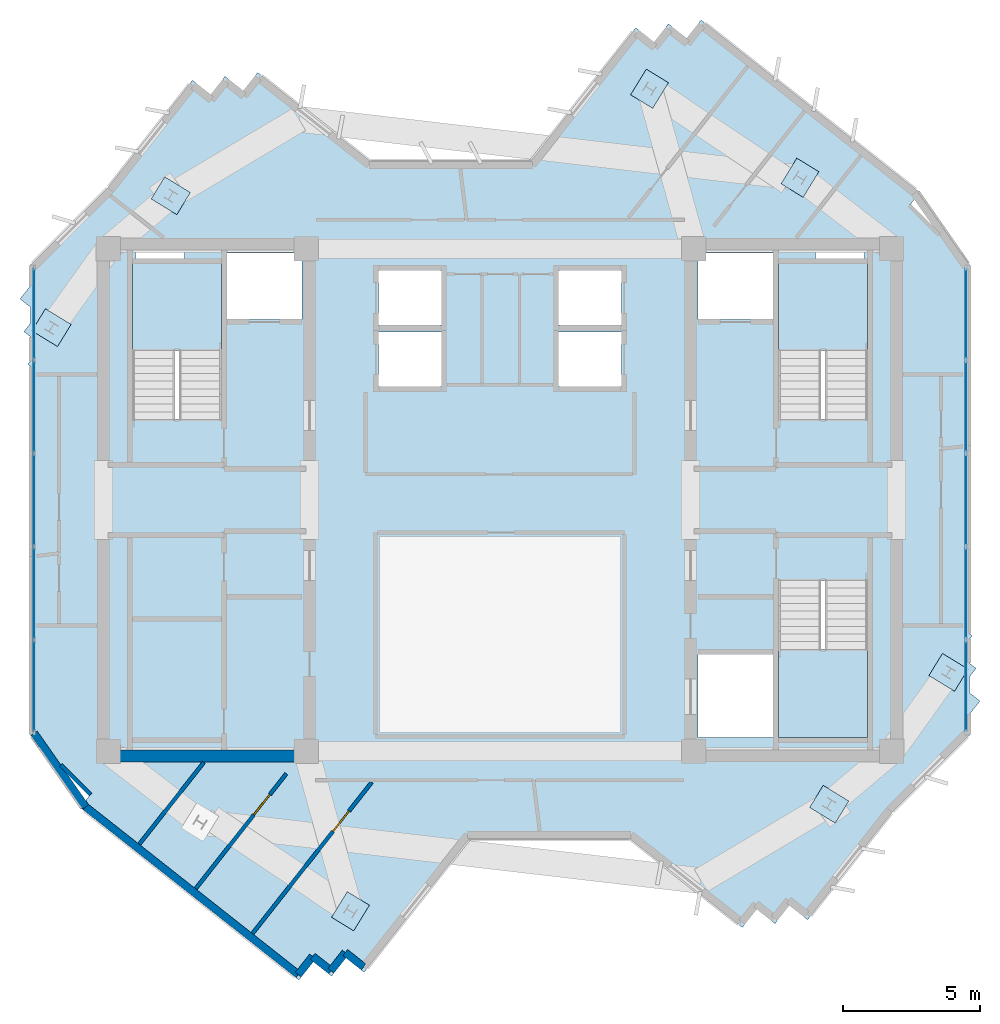
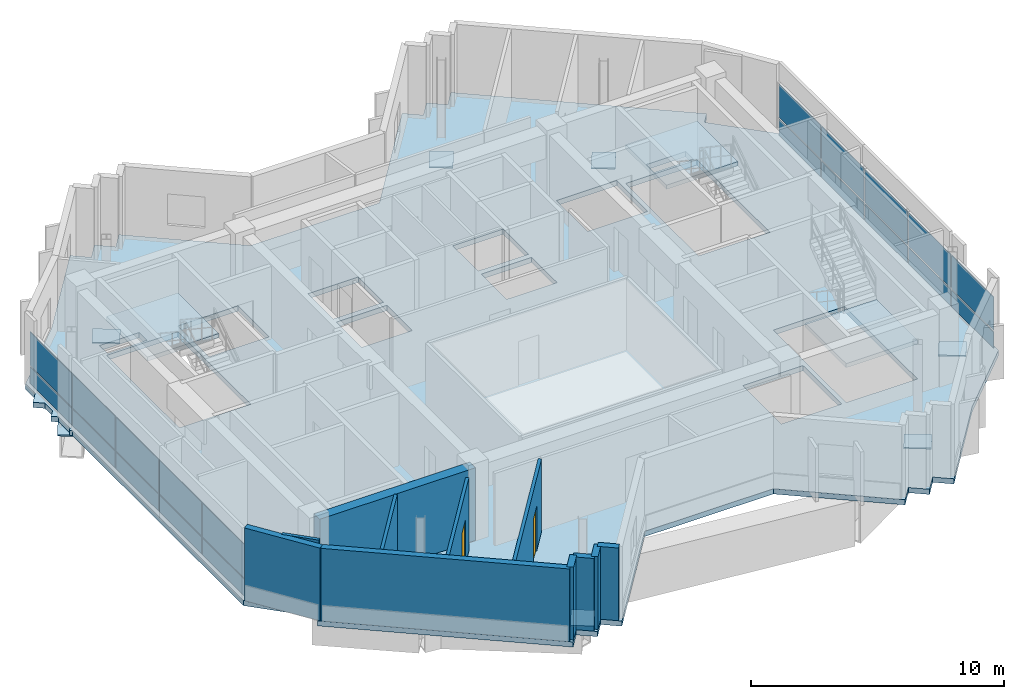
# One storey, part 4 of 10: 27 plates, 11 walls, 4 slabs, 2 doors, 2 openings, 5 elements without a shape of their own.
"""IFC4 building model written with IfcOpenShell, lengths in metres."""

from ifc_helpers import new_model, si_unit, direction, frame, frame_2d, origin, origin_2d, place, context, subcontext, project, spatial, polyline, rectangle, outline, extrude, source, transform, mapped, material, layer, layer_set, type_object, element, fill, aggregate, save


model = new_model("IFC4")

# Units and contexts
model_context = context("Model", 3, precision=1e-05, world=origin(), true_north=direction((0.0, 1.0)))
body_context = subcontext(model_context, "Body", "Model", "MODEL_VIEW")
ifc_project = project(units=[si_unit("LENGTHUNIT", "METRE"), si_unit("AREAUNIT", "SQUARE_METRE"), si_unit("VOLUMEUNIT", "CUBIC_METRE"), si_unit("PLANEANGLEUNIT", "RADIAN"), si_unit("MASSUNIT", "GRAM", prefix="KILO")], contexts=[model_context])

# Site, building, storey
site_placement = place(None, origin())
site = spatial("IfcSite", under=ifc_project, at=site_placement, CompositionType="ELEMENT")
building_placement = place(site_placement, origin())
building = spatial("IfcBuilding", under=site, at=building_placement, Name="Zahravan Cultural Tower", CompositionType="ELEMENT")
storey_placement = place(building_placement, frame((0.0, 0.0, 319.800048828125)))
storey = spatial("IfcBuildingStorey", under=building, at=storey_placement, Name="L77", CompositionType="ELEMENT", Elevation=319.800048828125)

# Stair, slab
ifc_material_1 = material(Name="Concrete C45/55", Category="concrete")
stair_type = type_object("IfcStairType", Name="STR-DL-1550-375", PredefinedType="HALF_TURN_STAIR", material=ifc_material_1)
stair_1_placement = place(storey_placement, origin())
stair_1 = element("IfcStair", 1, at=stair_1_placement, inside=storey, type_object=stair_type, Name="L77 West Core North Exit Stair ST-W1", PredefinedType="HALF_TURN_STAIR")
ifc_layer_1 = layer(ifc_material_1, 0.199951171875)
ifc_layer_set_1 = layer_set([ifc_layer_1], Name="Concrete C45/55")
slab_type_1 = type_object("IfcSlabType", Name="SL-STAIR-LND200", PredefinedType="LANDING", material=ifc_layer_set_1)
slab_1_placement = place(storey_placement, frame((0.0, 0.0, 1.675048828125)))
slab_1 = element("IfcSlab", 2, at=slab_1_placement, type_object=slab_type_1, Name="ST-W1 landing 1", PredefinedType="LANDING", context=body_context, shape_type="SweptSolid", body=[
    extrude(outline(polyline([(25.800048828125, 32.469970703125), (25.800048828125, 35.699951171875), (22.550048828125, 35.699951171875), (22.550048828125, 32.469970703125), (25.800048828125, 32.469970703125)])), origin(), (0.0, 0.0, 1.0), 0.199951171875),
])
aggregate(stair_1, [slab_1])

stair_2_placement = place(storey_placement, origin())
stair_2 = element("IfcStair", 3, at=stair_2_placement, inside=storey, type_object=stair_type, Name="L77 East Core North Exit Stair ST-E1", PredefinedType="HALF_TURN_STAIR")
slab_2_placement = place(storey_placement, frame((0.0, 0.0, 1.675048828125)))
slab_2 = element("IfcSlab", 4, at=slab_2_placement, type_object=slab_type_1, Name="ST-E1 landing 1", PredefinedType="LANDING", context=body_context, shape_type="SweptSolid", body=[
    extrude(outline(polyline([(49.449951171875, 32.469970703125), (49.449951171875, 35.699951171875), (46.199951171875, 35.699951171875), (46.199951171875, 32.469970703125), (49.449951171875, 32.469970703125)])), origin(), (0.0, 0.0, 1.0), 0.199951171875),
])
aggregate(stair_2, [slab_2])

stair_3_placement = place(storey_placement, origin())
stair_3 = element("IfcStair", 5, at=stair_3_placement, inside=storey, type_object=stair_type, Name="L77 East Core South Exit Stair ST-E2", PredefinedType="HALF_TURN_STAIR")
slab_3_placement = place(storey_placement, frame((0.0, 0.0, 1.675048828125)))
slab_3 = element("IfcSlab", 6, at=slab_3_placement, type_object=slab_type_1, Name="ST-E2 landing 1", PredefinedType="LANDING", context=body_context, shape_type="SweptSolid", body=[
    extrude(outline(polyline([(46.199951171875, 21.530029296875), (46.199951171875, 18.300048828125), (49.449951171875, 18.300048828125), (49.449951171875, 21.530029296875), (46.199951171875, 21.530029296875)])), origin(), (0.0, 0.0, 1.0), 0.199951171875),
])
aggregate(stair_3, [slab_3])

# Slab
ifc_material_2 = material(Name="Concrete C40/50", Category="concrete")
ifc_layer_2 = layer(ifc_material_2, 0.25)
ifc_layer_set_2 = layer_set([ifc_layer_2], Name="Concrete C40/50")
slab_type_2 = type_object("IfcSlabType", Name="SL-TYP-250", PredefinedType="FLOOR", material=ifc_layer_set_2)
slab_4_placement = place(storey_placement, frame((0.0, 0.0, -0.25)))
element("IfcSlab", 7, at=slab_4_placement, inside=storey, type_object=slab_type_2, Name="L77 Structural Floor Slab", PredefinedType="FLOOR", context=body_context, shape_type="SweptSolid", body=[
    extrude(outline(polyline([(37.116455078125, 39.39990234375), (31.25439453125, 39.39990234375), (27.12646484375, 42.654296875), (26.60009765625, 41.98681640625), (25.9326171875, 42.512939453125), (25.406494140625, 41.845458984375), (24.739013671875, 42.37158203125), (21.6376953125, 38.437744140625), (18.800048828125, 35.60009765625), (18.800048828125, 34.838134765625), (18.42431640625, 34.361328125), (18.800048828125, 34.065185546875), (18.800048828125, 33.465087890625), (18.5654296875, 33.167724609375), (18.800048828125, 32.98291015625), (18.800048828125, 32.09228515625), (18.706787109375, 31.97412109375), (18.800048828125, 31.900390625), (18.800048828125, 18.39990234375), (20.995361328125, 16.20458984375), (20.62841796875, 15.739013671875), (28.638671875, 9.42431640625), (29.164794921875, 10.091796875), (29.832275390625, 9.5654296875), (30.3583984375, 10.23291015625), (31.02587890625, 9.706787109375), (34.883544921875, 14.60009765625), (40.74560546875, 14.60009765625), (44.87353515625, 11.345703125), (45.39990234375, 12.01318359375), (46.0673828125, 11.487060546875), (46.593505859375, 12.154541015625), (47.260986328125, 11.62841796875), (50.3623046875, 15.562255859375), (53.199951171875, 18.39990234375), (53.199951171875, 19.161865234375), (53.57568359375, 19.638671875), (53.199951171875, 19.934814453125), (53.199951171875, 20.534912109375), (53.4345703125, 20.832275390625), (53.199951171875, 21.01708984375), (53.199951171875, 21.90771484375), (53.293212890625, 22.02587890625), (53.199951171875, 22.099609375), (53.199951171875, 35.60009765625), (51.004638671875, 37.79541015625), (51.37158203125, 38.260986328125), (43.361328125, 44.57568359375), (42.835205078125, 43.908203125), (42.167724609375, 44.4345703125), (41.6416015625, 43.76708984375), (40.97412109375, 44.293212890625), (37.116455078125, 39.39990234375)]), holes=[polyline([(22.550048828125, 29.949951171875), (22.550048828125, 35.699951171875), (25.800048828125, 35.699951171875), (25.800048828125, 29.949951171875), (22.550048828125, 29.949951171875)]), polyline([(46.199951171875, 29.949951171875), (46.199951171875, 35.699951171875), (49.449951171875, 35.699951171875), (49.449951171875, 29.949951171875), (46.199951171875, 29.949951171875)]), polyline([(46.199951171875, 18.300048828125), (46.199951171875, 24.050048828125), (49.449951171875, 24.050048828125), (49.449951171875, 18.300048828125), (46.199951171875, 18.300048828125)]), polyline([(26.0, 33.60009765625), (26.0, 36.050048828125), (28.75, 36.050048828125), (28.75, 33.60009765625), (26.0, 33.60009765625)]), polyline([(43.25, 33.60009765625), (43.25, 36.050048828125), (46.0, 36.050048828125), (46.0, 33.60009765625), (43.25, 33.60009765625)]), polyline([(43.25, 18.300048828125), (43.25, 21.35009765625), (46.0, 21.35009765625), (46.0, 18.300048828125), (43.25, 18.300048828125)]), polyline([(31.550048828125, 33.39990234375), (31.550048828125, 35.39990234375), (33.85009765625, 35.39990234375), (33.85009765625, 33.39990234375), (31.550048828125, 33.39990234375)]), polyline([(31.550048828125, 31.14990234375), (31.550048828125, 33.14990234375), (33.85009765625, 33.14990234375), (33.85009765625, 31.14990234375), (31.550048828125, 31.14990234375)]), polyline([(38.14990234375, 33.39990234375), (38.14990234375, 35.39990234375), (40.449951171875, 35.39990234375), (40.449951171875, 33.39990234375), (38.14990234375, 33.39990234375)]), polyline([(38.14990234375, 31.14990234375), (38.14990234375, 33.14990234375), (40.449951171875, 33.14990234375), (40.449951171875, 31.14990234375), (38.14990234375, 31.14990234375)]), polyline([(22.64990234375, 35.800048828125), (22.64990234375, 36.419921875), (24.449951171875, 36.419921875), (24.449951171875, 35.800048828125), (22.64990234375, 35.800048828125)]), polyline([(47.550048828125, 35.800048828125), (47.550048828125, 36.419921875), (49.35009765625, 36.419921875), (49.35009765625, 35.800048828125), (47.550048828125, 35.800048828125)])]), origin(), (0.0, 0.0, 1.0), 0.25),
])

# Plates
ifc_material_3 = material(Name="Steel ASTM A572 Grade 50", Category="steel")
ifc_layer_3 = layer(ifc_material_3, 0.06005859375)
ifc_layer_set_3 = layer_set([ifc_layer_3], Name="Steel ASTM A572 Grade 50")
plate_type_1 = type_object("IfcPlateType", Name="PL-NODE-60", PredefinedType="SHEET", material=ifc_layer_set_3)
shared_shape_1 = source(origin(), body_context, "Body", "SweptSolid", [
    extrude(rectangle(XDim=1.10009765625, YDim=0.949951171875, at=origin_2d()), origin(), (0.0, 0.0, 1.0), 0.06005859375),
])
for number, where, z_axis, x_axis, name in (
    (8, (30.525146484375, 11.941650390625, -1.080078125), (0.0, 0.0, 1.0), (0.522498564716, 0.852640164354, 0.0), "L77 Transfer Node Plate TN2"),
    (9, (48.055419921875, 15.859375, -1.080078125), (0.0, 0.0, 1.0), (-0.852640164354, 0.522498564716, 0.0), "L77 Transfer Node Plate TN2"),
    (10, (52.422607421875, 20.689208984375, -1.080078125), (0.0, 0.0, 1.0), (-0.852640164354, 0.522498564716, 0.0), "L77 Transfer Node Plate TN2"),
    (11, (46.98388671875, 38.7998046875, -1.080078125), (0.0, 0.0, 1.0), (0.522498564716, 0.852640164354, 0.0), "L77 Transfer Node Plate TN2"),
    (12, (41.474853515625, 42.058349609375, -1.080078125), (0.0, 0.0, 1.0), (0.522498564716, 0.852640164354, 0.0), "L77 Transfer Node Plate TN2"),
    (13, (23.944580078125, 38.140625, -1.080078125), (0.0, 0.0, 1.0), (-0.852640164354, 0.522498564716, 0.0), "L77 Transfer Node Plate TN2"),
    (14, (19.577392578125, 33.310791015625, -1.080078125), (0.0, 0.0, 1.0), (-0.852640164354, 0.522498564716, 0.0), "L77 Transfer Node Plate TN2"),
):
    element("IfcPlate", number, at=place(storey_placement, frame(where, z_axis=z_axis, x_axis=x_axis)), inside=storey, type_object=plate_type_1, Name=name, PredefinedType="SHEET", context=body_context, shape_type="MappedRepresentation", body=[
        mapped(shared_shape_1, transform((0.0, 0.0, 0.0), x_axis=(1.0, 0.0, 0.0), y_axis=(0.0, 1.0, 0.0), z_axis=(0.0, 0.0, 1.0), scale=1.0)),
    ])

# Curtain wall, plates
ifc_material_4 = material(Name="Anodised bronze-aluminium mullion", Category="aluminium")
ifc_layer_4 = layer(ifc_material_4, 0.199951171875)
ifc_layer_set_4 = layer_set([ifc_layer_4], Name="Anodised bronze-aluminium mullion")
curtain_wall_type_1 = type_object("IfcCurtainWallType", Name="CW-SYS-2", PredefinedType="USERDEFINED", material=ifc_layer_set_4)
curtain_wall_1_placement = place(storey_placement, origin())
curtain_wall_1 = element("IfcCurtainWall", 15, at=curtain_wall_1_placement, inside=storey, type_object=curtain_wall_type_1, Name="L77 Recessed Curtain Wall CW-2.1", ObjectType="RECESSED GLAZING", PredefinedType="USERDEFINED")
ifc_material_5 = material(Name="Low-E solar-control double glazing", Category="glass")
ifc_layer_5 = layer(ifc_material_5, 0.030029296875)
ifc_layer_set_5 = layer_set([ifc_layer_5], Name="Low-E solar-control double glazing")
plate_type_2 = type_object("IfcPlateType", Name="CWP-CW-2", PredefinedType="CURTAIN_PANEL", material=ifc_layer_set_5)
shared_shape_2 = source(origin(), body_context, "Body", "SweptSolid", [
    extrude(rectangle(XDim=3.30419921875, YDim=0.030029296875, at=origin_2d()), origin(), (0.0, 0.0, 1.0), 0.78759765625),
])
plate_1_placement = place(storey_placement, frame((53.06005859375, 33.81494140625, 0.074951171875), z_axis=(0.0, 0.0, 1.0), x_axis=(0.0, -1.0, 0.0)))
plate_1 = element("IfcPlate", 16, at=plate_1_placement, type_object=plate_type_2, Name="CW-2 panel 1.1", PredefinedType="CURTAIN_PANEL", context=body_context, shape_type="MappedRepresentation", body=[
    mapped(shared_shape_2, transform((0.0, 0.0, 0.0), x_axis=(1.0, 0.0, 0.0), y_axis=(0.0, 1.0, 0.0), z_axis=(0.0, 0.0, 1.0), scale=1.0)),
])
plate_2_placement = place(storey_placement, frame((53.06005859375, 20.18505859375, 0.074951171875), z_axis=(0.0, 0.0, 1.0), x_axis=(0.0, -1.0, 0.0)))
plate_2 = element("IfcPlate", 17, at=plate_2_placement, type_object=plate_type_2, Name="CW-2 panel 5.1", PredefinedType="CURTAIN_PANEL", context=body_context, shape_type="MappedRepresentation", body=[
    mapped(shared_shape_2, transform((0.0, 0.0, 0.0), x_axis=(1.0, 0.0, 0.0), y_axis=(0.0, 1.0, 0.0), z_axis=(0.0, 0.0, 1.0), scale=1.0)),
])
shared_shape_3 = source(origin(), body_context, "Body", "SweptSolid", [
    extrude(rectangle(XDim=3.30419921875, YDim=0.030029296875, at=origin_2d()), origin(), (0.0, 0.0, 1.0), 1.607421875),
])
plate_3_placement = place(storey_placement, frame((53.06005859375, 33.81494140625, 0.9375), z_axis=(0.0, 0.0, 1.0), x_axis=(0.0, -1.0, 0.0)))
plate_3 = element("IfcPlate", 18, at=plate_3_placement, type_object=plate_type_2, Name="CW-2 panel 1.2", PredefinedType="CURTAIN_PANEL", context=body_context, shape_type="MappedRepresentation", body=[
    mapped(shared_shape_3, transform((0.0, 0.0, 0.0), x_axis=(1.0, 0.0, 0.0), y_axis=(0.0, 1.0, 0.0), z_axis=(0.0, 0.0, 1.0), scale=1.0)),
])
plate_4_placement = place(storey_placement, frame((53.06005859375, 20.18505859375, 0.9375), z_axis=(0.0, 0.0, 1.0), x_axis=(0.0, -1.0, 0.0)))
plate_4 = element("IfcPlate", 19, at=plate_4_placement, type_object=plate_type_2, Name="CW-2 panel 5.2", PredefinedType="CURTAIN_PANEL", context=body_context, shape_type="MappedRepresentation", body=[
    mapped(shared_shape_3, transform((0.0, 0.0, 0.0), x_axis=(1.0, 0.0, 0.0), y_axis=(0.0, 1.0, 0.0), z_axis=(0.0, 0.0, 1.0), scale=1.0)),
])
shared_shape_4 = source(origin(), body_context, "Body", "SweptSolid", [
    extrude(rectangle(XDim=3.341796875, YDim=0.030029296875, at=origin_2d()), origin(), (0.0, 0.0, 1.0), 0.78759765625),
])
plate_5_placement = place(storey_placement, frame((53.06005859375, 30.416748046875, 0.074951171875), z_axis=(0.0, 0.0, 1.0), x_axis=(0.0, -1.0, 0.0)))
plate_5 = element("IfcPlate", 20, at=plate_5_placement, type_object=plate_type_2, Name="CW-2 panel 2.1", PredefinedType="CURTAIN_PANEL", context=body_context, shape_type="MappedRepresentation", body=[
    mapped(shared_shape_4, transform((0.0, 0.0, 0.0), x_axis=(1.0, 0.0, 0.0), y_axis=(0.0, 1.0, 0.0), z_axis=(0.0, 0.0, 1.0), scale=1.0)),
])
plate_6_placement = place(storey_placement, frame((53.06005859375, 27.0, 0.074951171875), z_axis=(0.0, 0.0, 1.0), x_axis=(0.0, -1.0, 0.0)))
plate_6 = element("IfcPlate", 21, at=plate_6_placement, type_object=plate_type_2, Name="CW-2 panel 3.1", PredefinedType="CURTAIN_PANEL", context=body_context, shape_type="MappedRepresentation", body=[
    mapped(shared_shape_4, transform((0.0, 0.0, 0.0), x_axis=(1.0, 0.0, 0.0), y_axis=(0.0, 1.0, 0.0), z_axis=(0.0, 0.0, 1.0), scale=1.0)),
])
plate_7_placement = place(storey_placement, frame((53.06005859375, 23.583251953125, 0.074951171875), z_axis=(0.0, 0.0, 1.0), x_axis=(0.0, -1.0, 0.0)))
plate_7 = element("IfcPlate", 22, at=plate_7_placement, type_object=plate_type_2, Name="CW-2 panel 4.1", PredefinedType="CURTAIN_PANEL", context=body_context, shape_type="MappedRepresentation", body=[
    mapped(shared_shape_4, transform((0.0, 0.0, 0.0), x_axis=(1.0, 0.0, 0.0), y_axis=(0.0, 1.0, 0.0), z_axis=(0.0, 0.0, 1.0), scale=1.0)),
])
shared_shape_5 = source(origin(), body_context, "Body", "SweptSolid", [
    extrude(rectangle(XDim=3.341796875, YDim=0.030029296875, at=origin_2d()), origin(), (0.0, 0.0, 1.0), 1.607421875),
])
plate_8_placement = place(storey_placement, frame((53.06005859375, 30.416748046875, 0.9375), z_axis=(0.0, 0.0, 1.0), x_axis=(0.0, -1.0, 0.0)))
plate_8 = element("IfcPlate", 23, at=plate_8_placement, type_object=plate_type_2, Name="CW-2 panel 2.2", PredefinedType="CURTAIN_PANEL", context=body_context, shape_type="MappedRepresentation", body=[
    mapped(shared_shape_5, transform((0.0, 0.0, 0.0), x_axis=(1.0, 0.0, 0.0), y_axis=(0.0, 1.0, 0.0), z_axis=(0.0, 0.0, 1.0), scale=1.0)),
])
plate_9_placement = place(storey_placement, frame((53.06005859375, 27.0, 0.9375), z_axis=(0.0, 0.0, 1.0), x_axis=(0.0, -1.0, 0.0)))
plate_9 = element("IfcPlate", 24, at=plate_9_placement, type_object=plate_type_2, Name="CW-2 panel 3.2", PredefinedType="CURTAIN_PANEL", context=body_context, shape_type="MappedRepresentation", body=[
    mapped(shared_shape_5, transform((0.0, 0.0, 0.0), x_axis=(1.0, 0.0, 0.0), y_axis=(0.0, 1.0, 0.0), z_axis=(0.0, 0.0, 1.0), scale=1.0)),
])
plate_10_placement = place(storey_placement, frame((53.06005859375, 23.583251953125, 0.9375), z_axis=(0.0, 0.0, 1.0), x_axis=(0.0, -1.0, 0.0)))
plate_10 = element("IfcPlate", 25, at=plate_10_placement, type_object=plate_type_2, Name="CW-2 panel 4.2", PredefinedType="CURTAIN_PANEL", context=body_context, shape_type="MappedRepresentation", body=[
    mapped(shared_shape_5, transform((0.0, 0.0, 0.0), x_axis=(1.0, 0.0, 0.0), y_axis=(0.0, 1.0, 0.0), z_axis=(0.0, 0.0, 1.0), scale=1.0)),
])
aggregate(curtain_wall_1, [plate_1, plate_3, plate_5, plate_8, plate_6, plate_9, plate_7, plate_10, plate_2, plate_4])

ifc_layer_6 = layer(ifc_material_4, 0.179931640625)
ifc_layer_set_6 = layer_set([ifc_layer_6], Name="Anodised bronze-aluminium mullion")
curtain_wall_type_2 = type_object("IfcCurtainWallType", Name="CW-SYS-3", PredefinedType="USERDEFINED", material=ifc_layer_set_6)
curtain_wall_2_placement = place(storey_placement, origin())
curtain_wall_2 = element("IfcCurtainWall", 26, at=curtain_wall_2_placement, inside=storey, type_object=curtain_wall_type_2, Name="L77 Recessed Curtain Wall CW-3.2", ObjectType="RECESSED GLAZING", PredefinedType="USERDEFINED")
ifc_layer_7 = layer(ifc_material_5, 0.028076171875)
ifc_layer_set_7 = layer_set([ifc_layer_7], Name="Low-E solar-control double glazing")
plate_type_3 = type_object("IfcPlateType", Name="CWP-CW-3", PredefinedType="CURTAIN_PANEL", material=ifc_layer_set_7)
shared_shape_6 = source(origin(), body_context, "Body", "SweptSolid", [
    extrude(rectangle(XDim=3.311767578125, YDim=0.028076171875, at=origin_2d()), origin(), (0.0, 0.0, 1.0), 0.794921875),
])
plate_11_placement = place(storey_placement, frame((18.93994140625, 20.183837890625, 0.070068359375), z_axis=(0.0, 0.0, 1.0), x_axis=(0.0, 1.0, 0.0)))
plate_11 = element("IfcPlate", 27, at=plate_11_placement, type_object=plate_type_3, Name="CW-3 panel 1.1", PredefinedType="CURTAIN_PANEL", context=body_context, shape_type="MappedRepresentation", body=[
    mapped(shared_shape_6, transform((0.0, 0.0, 0.0), x_axis=(1.0, 0.0, 0.0), y_axis=(0.0, 1.0, 0.0), z_axis=(0.0, 0.0, 1.0), scale=1.0)),
])
plate_12_placement = place(storey_placement, frame((18.93994140625, 33.816162109375, 0.070068359375), z_axis=(0.0, 0.0, 1.0), x_axis=(0.0, 1.0, 0.0)))
plate_12 = element("IfcPlate", 28, at=plate_12_placement, type_object=plate_type_3, Name="CW-3 panel 5.1", PredefinedType="CURTAIN_PANEL", context=body_context, shape_type="MappedRepresentation", body=[
    mapped(shared_shape_6, transform((0.0, 0.0, 0.0), x_axis=(1.0, 0.0, 0.0), y_axis=(0.0, 1.0, 0.0), z_axis=(0.0, 0.0, 1.0), scale=1.0)),
])
shared_shape_7 = source(origin(), body_context, "Body", "SweptSolid", [
    extrude(rectangle(XDim=3.311767578125, YDim=0.028076171875, at=origin_2d()), origin(), (0.0, 0.0, 1.0), 1.614990234375),
])
plate_13_placement = place(storey_placement, frame((18.93994140625, 20.183837890625, 0.93505859375), z_axis=(0.0, 0.0, 1.0), x_axis=(0.0, 1.0, 0.0)))
plate_13 = element("IfcPlate", 29, at=plate_13_placement, type_object=plate_type_3, Name="CW-3 panel 1.2", PredefinedType="CURTAIN_PANEL", context=body_context, shape_type="MappedRepresentation", body=[
    mapped(shared_shape_7, transform((0.0, 0.0, 0.0), x_axis=(1.0, 0.0, 0.0), y_axis=(0.0, 1.0, 0.0), z_axis=(0.0, 0.0, 1.0), scale=1.0)),
])
plate_14_placement = place(storey_placement, frame((18.93994140625, 33.816162109375, 0.93505859375), z_axis=(0.0, 0.0, 1.0), x_axis=(0.0, 1.0, 0.0)))
plate_14 = element("IfcPlate", 30, at=plate_14_placement, type_object=plate_type_3, Name="CW-3 panel 5.2", PredefinedType="CURTAIN_PANEL", context=body_context, shape_type="MappedRepresentation", body=[
    mapped(shared_shape_7, transform((0.0, 0.0, 0.0), x_axis=(1.0, 0.0, 0.0), y_axis=(0.0, 1.0, 0.0), z_axis=(0.0, 0.0, 1.0), scale=1.0)),
])
shared_shape_8 = source(origin(), body_context, "Body", "SweptSolid", [
    extrude(rectangle(XDim=3.3466796875, YDim=0.028076171875, at=origin_2d()), origin(), (0.0, 0.0, 1.0), 0.794921875),
])
plate_15_placement = place(storey_placement, frame((18.93994140625, 23.583251953125, 0.070068359375), z_axis=(0.0, 0.0, 1.0), x_axis=(0.0, 1.0, 0.0)))
plate_15 = element("IfcPlate", 31, at=plate_15_placement, type_object=plate_type_3, Name="CW-3 panel 2.1", PredefinedType="CURTAIN_PANEL", context=body_context, shape_type="MappedRepresentation", body=[
    mapped(shared_shape_8, transform((0.0, 0.0, 0.0), x_axis=(1.0, 0.0, 0.0), y_axis=(0.0, 1.0, 0.0), z_axis=(0.0, 0.0, 1.0), scale=1.0)),
])
plate_16_placement = place(storey_placement, frame((18.93994140625, 27.0, 0.070068359375), z_axis=(0.0, 0.0, 1.0), x_axis=(0.0, 1.0, 0.0)))
plate_16 = element("IfcPlate", 32, at=plate_16_placement, type_object=plate_type_3, Name="CW-3 panel 3.1", PredefinedType="CURTAIN_PANEL", context=body_context, shape_type="MappedRepresentation", body=[
    mapped(shared_shape_8, transform((0.0, 0.0, 0.0), x_axis=(1.0, 0.0, 0.0), y_axis=(0.0, 1.0, 0.0), z_axis=(0.0, 0.0, 1.0), scale=1.0)),
])
plate_17_placement = place(storey_placement, frame((18.93994140625, 30.416748046875, 0.070068359375), z_axis=(0.0, 0.0, 1.0), x_axis=(0.0, 1.0, 0.0)))
plate_17 = element("IfcPlate", 33, at=plate_17_placement, type_object=plate_type_3, Name="CW-3 panel 4.1", PredefinedType="CURTAIN_PANEL", context=body_context, shape_type="MappedRepresentation", body=[
    mapped(shared_shape_8, transform((0.0, 0.0, 0.0), x_axis=(1.0, 0.0, 0.0), y_axis=(0.0, 1.0, 0.0), z_axis=(0.0, 0.0, 1.0), scale=1.0)),
])
shared_shape_9 = source(origin(), body_context, "Body", "SweptSolid", [
    extrude(rectangle(XDim=3.3466796875, YDim=0.028076171875, at=origin_2d()), origin(), (0.0, 0.0, 1.0), 1.614990234375),
])
plate_18_placement = place(storey_placement, frame((18.93994140625, 23.583251953125, 0.93505859375), z_axis=(0.0, 0.0, 1.0), x_axis=(0.0, 1.0, 0.0)))
plate_18 = element("IfcPlate", 34, at=plate_18_placement, type_object=plate_type_3, Name="CW-3 panel 2.2", PredefinedType="CURTAIN_PANEL", context=body_context, shape_type="MappedRepresentation", body=[
    mapped(shared_shape_9, transform((0.0, 0.0, 0.0), x_axis=(1.0, 0.0, 0.0), y_axis=(0.0, 1.0, 0.0), z_axis=(0.0, 0.0, 1.0), scale=1.0)),
])
plate_19_placement = place(storey_placement, frame((18.93994140625, 27.0, 0.93505859375), z_axis=(0.0, 0.0, 1.0), x_axis=(0.0, 1.0, 0.0)))
plate_19 = element("IfcPlate", 35, at=plate_19_placement, type_object=plate_type_3, Name="CW-3 panel 3.2", PredefinedType="CURTAIN_PANEL", context=body_context, shape_type="MappedRepresentation", body=[
    mapped(shared_shape_9, transform((0.0, 0.0, 0.0), x_axis=(1.0, 0.0, 0.0), y_axis=(0.0, 1.0, 0.0), z_axis=(0.0, 0.0, 1.0), scale=1.0)),
])
plate_20_placement = place(storey_placement, frame((18.93994140625, 30.416748046875, 0.93505859375), z_axis=(0.0, 0.0, 1.0), x_axis=(0.0, 1.0, 0.0)))
plate_20 = element("IfcPlate", 36, at=plate_20_placement, type_object=plate_type_3, Name="CW-3 panel 4.2", PredefinedType="CURTAIN_PANEL", context=body_context, shape_type="MappedRepresentation", body=[
    mapped(shared_shape_9, transform((0.0, 0.0, 0.0), x_axis=(1.0, 0.0, 0.0), y_axis=(0.0, 1.0, 0.0), z_axis=(0.0, 0.0, 1.0), scale=1.0)),
])
aggregate(curtain_wall_2, [plate_11, plate_13, plate_15, plate_18, plate_16, plate_19, plate_17, plate_20, plate_12, plate_14])

# Wall, opening, door
ifc_material_6 = material(Name="Gypsum plasterboard partition")
ifc_layer_8 = layer(ifc_material_6, 0.139892578125)
ifc_layer_set_8 = layer_set([ifc_layer_8], Name="Gypsum plasterboard partition")
wall_type_1 = type_object("IfcWallType", Name="W-PART-140", PredefinedType="PARTITIONING", material=ifc_layer_set_8)
wall_1_placement = place(storey_placement, frame((28.17724609375, 16.97998046875, 0.0), z_axis=(0.0, 0.0, 1.0), x_axis=(-0.619105408422, -0.785307897109, 0.0)))
wall_1 = element("IfcWall", 37, at=wall_1_placement, inside=storey, type_object=wall_type_1, Name="L77 Interior Wall 052", PredefinedType="PARTITIONING", context=body_context, shape_type="SweptSolid", body=[
    extrude(rectangle(XDim=5.363037109375, YDim=0.139892578125, at=frame_2d((2.681640625, 0.0))), origin(), (0.0, 0.0, 1.0), 3.5),
])
opening_1_placement = place(wall_1_placement, frame((0.970947265625, 0.0, 0.0)))
opening_1 = element("IfcOpeningElement", 38, at=opening_1_placement, cuts=wall_1, Name="Opening D-L77-27", PredefinedType="OPENING", context=body_context, shape_type="SweptSolid", body=[
    extrude(rectangle(XDim=0.949951171875, YDim=2.14990234375, at=frame_2d((0.47509765625, 1.074951171875))), frame((0.0, 0.079833984375, 0.0), z_axis=(0.0, -1.0, 0.0), x_axis=(1.0, 0.0, 0.0)), (0.0, 0.0, 1.0), 0.159912109375),
])
door_type = type_object("IfcDoorType", Name="DR-ROOM-950", OperationType="NOTDEFINED", PredefinedType="DOOR", material=ifc_material_4)
shared_shape_10 = source(origin(), body_context, "Body", "SweptSolid", [
    extrude(rectangle(XDim=0.949951171875, YDim=2.14990234375, at=frame_2d((0.47509765625, 1.074951171875))), frame((0.0, 0.02490234375, 0.0), z_axis=(0.0, -1.0, 0.0), x_axis=(1.0, 0.0, 0.0)), (0.0, 0.0, 1.0), 0.050048828125),
])
door_1_placement = place(opening_1_placement, origin())
door_1 = element("IfcDoor", 39, at=door_1_placement, inside=storey, type_object=door_type, Name="L77 Door D-L77-27", OperationType="SINGLE_SWING_LEFT", OverallHeight=2.14990234375, OverallWidth=0.949951171875, PredefinedType="DOOR", context=body_context, shape_type="MappedRepresentation", body=[
    mapped(shared_shape_10, transform((0.0, 0.0, 0.0), x_axis=(1.0, 0.0, 0.0), y_axis=(0.0, 1.0, 0.0), z_axis=(0.0, 0.0, 1.0), scale=1.0)),
])
fill(opening_1, door_1)

wall_2_placement = place(storey_placement, frame((31.30322265625, 16.664794921875, 0.0), z_axis=(0.0, 0.0, 1.0), x_axis=(-0.619105259882, -0.785308014213, 0.0)))
wall_2 = element("IfcWall", 40, at=wall_2_placement, inside=storey, type_object=wall_type_1, Name="L77 Interior Wall 056", PredefinedType="PARTITIONING", context=body_context, shape_type="SweptSolid", body=[
    extrude(rectangle(XDim=7.05078125, YDim=0.139892578125, at=frame_2d((3.525390625, 0.0))), origin(), (0.0, 0.0, 1.0), 3.5),
])
opening_2_placement = place(wall_2_placement, frame((1.34228515625, 0.0, 0.0)))
opening_2 = element("IfcOpeningElement", 41, at=opening_2_placement, cuts=wall_2, Name="Opening D-L77-25", PredefinedType="OPENING", context=body_context, shape_type="SweptSolid", body=[
    extrude(rectangle(XDim=0.949951171875, YDim=2.14990234375, at=frame_2d((0.47509765625, 1.074951171875))), frame((0.0, 0.079833984375, 0.0), z_axis=(0.0, -1.0, 0.0), x_axis=(1.0, 0.0, 0.0)), (0.0, 0.0, 1.0), 0.159912109375),
])
door_2_placement = place(opening_2_placement, origin())
door_2 = element("IfcDoor", 42, at=door_2_placement, inside=storey, type_object=door_type, Name="L77 Door D-L77-25", OperationType="SINGLE_SWING_LEFT", OverallHeight=2.14990234375, OverallWidth=0.949951171875, PredefinedType="DOOR", context=body_context, shape_type="MappedRepresentation", body=[
    mapped(shared_shape_10, transform((0.0, 0.0, 0.0), x_axis=(1.0, 0.0, 0.0), y_axis=(0.0, 1.0, 0.0), z_axis=(0.0, 0.0, 1.0), scale=1.0)),
])
fill(opening_2, door_2)

# Walls
ifc_material_7 = material(Name="Concrete C50/60", Category="concrete")
ifc_layer_9 = layer(ifc_material_7, 0.449951171875)
ifc_layer_set_9 = layer_set([ifc_layer_9], Name="Concrete C50/60")
wall_type_2 = type_object("IfcWallType", Name="CW-SHEAR-450-C50", PredefinedType="SHEAR", material=ifc_layer_set_9)
shared_shape_11 = source(origin(), body_context, "Body", "SweptSolid", [
    extrude(rectangle(XDim=7.10009765625, YDim=0.449951171875, at=frame_2d((3.550048828125, 0.0))), origin(), (0.0, 0.0, 1.0), 3.5),
])
wall_3_placement = place(storey_placement, frame((21.699951171875, 17.625, 0.0), z_axis=(0.0, 0.0, 1.0), x_axis=(1.0, 0.0, 0.0)))
element("IfcWall", 43, at=wall_3_placement, inside=storey, type_object=wall_type_2, Name="L77 Core Shear Wall CW-W-S-L77", PredefinedType="SHEAR", context=body_context, shape_type="MappedRepresentation", body=[
    mapped(shared_shape_11, transform((0.0, 0.0, 0.0), x_axis=(1.0, 0.0, 0.0), y_axis=(0.0, 1.0, 0.0), z_axis=(0.0, 0.0, 1.0), scale=1.0)),
])
ifc_material_8 = material(Name="Precast concrete C40/50", Category="concrete")
ifc_layer_10 = layer(ifc_material_8, 0.280029296875)
ifc_layer_set_10 = layer_set([ifc_layer_10], Name="Precast concrete C40/50")
wall_type_3 = type_object("IfcWallType", Name="EW-TC-280", PredefinedType="SOLIDWALL", material=ifc_layer_set_10)
shared_shape_12 = source(origin(), body_context, "Body", "SweptSolid", [
    extrude(rectangle(XDim=0.85009765625, YDim=0.280029296875, at=frame_2d((0.425048828125, 0.0))), origin(), (0.0, 0.0, 1.0), 3.5),
])
for number, where, z_axis, x_axis, name in (
    (44, (31.002685546875, 9.9033203125, 0.0), (0.0, 0.0, 1.0), (-0.785220826193, 0.619215838066, 0.0), "L77 Exterior Masonry Frame Wall 25"),
    (45, (29.1416015625, 10.288330078125, 0.0), (0.0, 0.0, 1.0), (-0.619215838066, -0.785220826193, 0.0), "L77 Exterior Masonry Frame Wall 28"),
):
    element("IfcWall", number, at=place(storey_placement, frame(where, z_axis=z_axis, x_axis=x_axis)), inside=storey, type_object=wall_type_3, Name=name, PredefinedType="SOLIDWALL", context=body_context, shape_type="MappedRepresentation", body=[
        mapped(shared_shape_12, transform((0.0, 0.0, 0.0), x_axis=(1.0, 0.0, 0.0), y_axis=(0.0, 1.0, 0.0), z_axis=(0.0, 0.0, 1.0), scale=1.0)),
    ])
shared_shape_13 = source(origin(), body_context, "Body", "SweptSolid", [
    extrude(rectangle(XDim=0.849853515625, YDim=0.280029296875, at=frame_2d((0.4248046875, 0.0))), origin(), (0.0, 0.0, 1.0), 3.5),
])
for number, where, z_axis, x_axis, name in (
    (46, (30.335205078125, 10.4296875, 0.0), (0.0, 0.0, 1.0), (-0.619038707801, -0.785360476625, 0.0), "L77 Exterior Masonry Frame Wall 26"),
    (47, (29.80908203125, 9.76220703125, 0.0), (0.0, 0.0, 1.0), (-0.785360476625, 0.619038707801, 0.0), "L77 Exterior Masonry Frame Wall 27"),
):
    element("IfcWall", number, at=place(storey_placement, frame(where, z_axis=z_axis, x_axis=x_axis)), inside=storey, type_object=wall_type_3, Name=name, PredefinedType="SOLIDWALL", context=body_context, shape_type="MappedRepresentation", body=[
        mapped(shared_shape_13, transform((0.0, 0.0, 0.0), x_axis=(1.0, 0.0, 0.0), y_axis=(0.0, 1.0, 0.0), z_axis=(0.0, 0.0, 1.0), scale=1.0)),
    ])
shared_shape_14 = source(origin(), body_context, "Body", "SweptSolid", [
    extrude(rectangle(XDim=9.919921875, YDim=0.280029296875, at=frame_2d((4.9599609375, 0.0))), origin(), (0.0, 0.0, 1.0), 3.5),
])
wall_4_placement = place(storey_placement, frame((28.615234375, 9.620849609375, 0.0), z_axis=(0.0, 0.0, 1.0), x_axis=(-0.785317257435, 0.619093535077, 0.0)))
element("IfcWall", 48, at=wall_4_placement, inside=storey, type_object=wall_type_3, Name="L77 Exterior Masonry Frame Wall 29", PredefinedType="SOLIDWALL", context=body_context, shape_type="MappedRepresentation", body=[
    mapped(shared_shape_14, transform((0.0, 0.0, 0.0), x_axis=(1.0, 0.0, 0.0), y_axis=(0.0, 1.0, 0.0), z_axis=(0.0, 0.0, 1.0), scale=1.0)),
])
shared_shape_15 = source(origin(), body_context, "Body", "SweptSolid", [
    extrude(rectangle(XDim=3.28955078125, YDim=0.280029296875, at=frame_2d((1.644775390625, 0.0))), origin(), (0.0, 0.0, 1.0), 3.5),
])
wall_5_placement = place(storey_placement, frame((20.824951171875, 15.76220703125, 0.0), z_axis=(0.0, 0.0, 1.0), x_axis=(-0.573043854491, 0.819524704222, 0.0)))
element("IfcWall", 49, at=wall_5_placement, inside=storey, type_object=wall_type_3, Name="L77 Exterior Masonry Frame Wall 30", PredefinedType="SOLIDWALL", context=body_context, shape_type="MappedRepresentation", body=[
    mapped(shared_shape_15, transform((0.0, 0.0, 0.0), x_axis=(1.0, 0.0, 0.0), y_axis=(0.0, 1.0, 0.0), z_axis=(0.0, 0.0, 1.0), scale=1.0)),
])
shared_shape_16 = source(origin(), body_context, "Body", "SweptSolid", [
    extrude(rectangle(XDim=3.818359375, YDim=0.139892578125, at=frame_2d((1.9091796875, 0.0))), origin(), (0.0, 0.0, 1.0), 3.5),
])
wall_6_placement = place(storey_placement, frame((22.79150390625, 14.396484375, 0.0), z_axis=(0.0, 0.0, 1.0), x_axis=(0.619119655452, 0.78529666511, 0.0)))
element("IfcWall", 50, at=wall_6_placement, inside=storey, type_object=wall_type_1, Name="L77 Interior Wall 051", PredefinedType="PARTITIONING", context=body_context, shape_type="MappedRepresentation", body=[
    mapped(shared_shape_16, transform((0.0, 0.0, 0.0), x_axis=(1.0, 0.0, 0.0), y_axis=(0.0, 1.0, 0.0), z_axis=(0.0, 0.0, 1.0), scale=1.0)),
])
shared_shape_17 = source(origin(), body_context, "Body", "SweptSolid", [
    extrude(rectangle(XDim=1.538330078125, YDim=0.139892578125, at=frame_2d((0.76904296875, 0.0))), origin(), (0.0, 0.0, 1.0), 3.5),
])
wall_7_placement = place(storey_placement, frame((21.0087890625, 16.21728515625, 0.0), z_axis=(0.0, 0.0, 1.0), x_axis=(-0.706709909315, 0.707503430434, 0.0)))
element("IfcWall", 51, at=wall_7_placement, inside=storey, type_object=wall_type_1, Name="L77 Interior Wall 066", PredefinedType="PARTITIONING", context=body_context, shape_type="MappedRepresentation", body=[
    mapped(shared_shape_17, transform((0.0, 0.0, 0.0), x_axis=(1.0, 0.0, 0.0), y_axis=(0.0, 1.0, 0.0), z_axis=(0.0, 0.0, 1.0), scale=1.0)),
])

save(model, "model.ifc")
